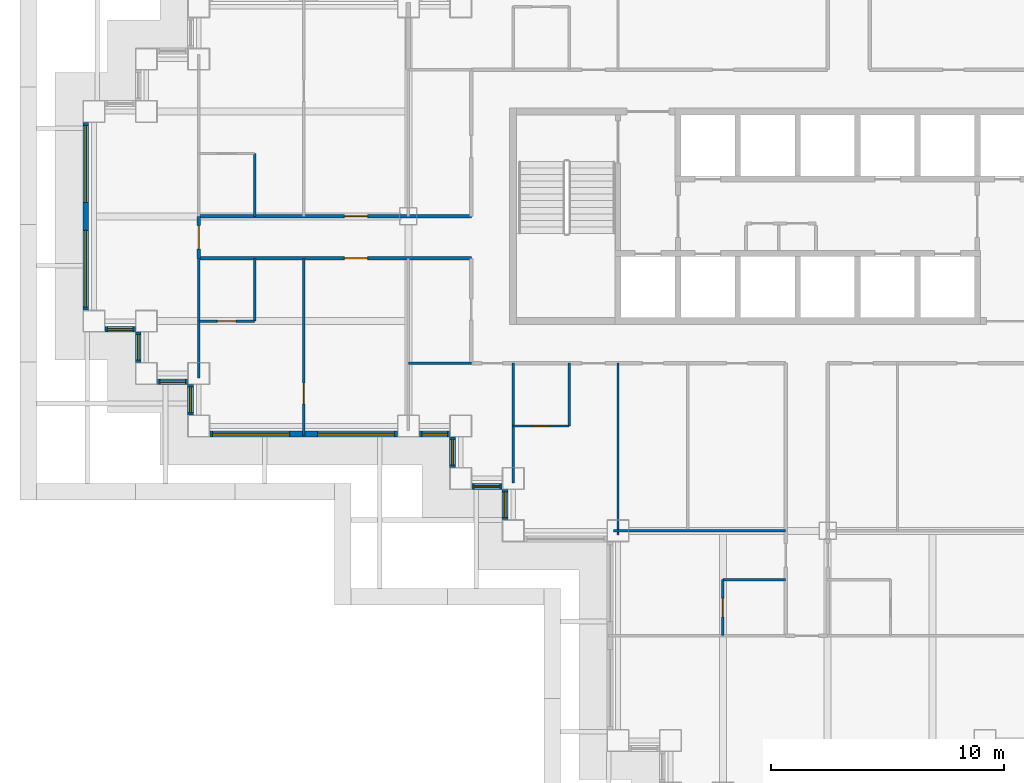
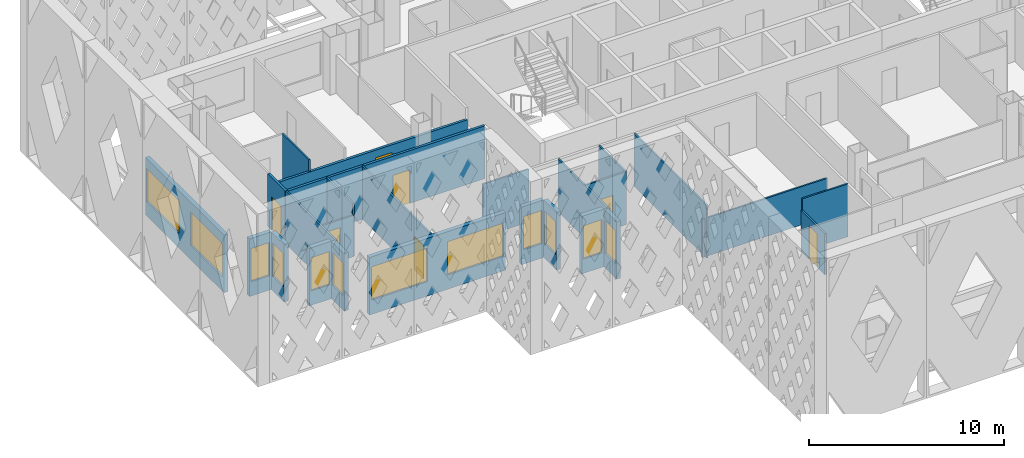
# One storey, part 3 of 19: 26 walls, 12 windows, 7 doors, 19 openings.
"""IFC4 building model written with IfcOpenShell, lengths in metres."""

from ifc_helpers import new_model, si_unit, direction, frame, frame_2d, origin, place, context, subcontext, project, spatial, rectangle, extrude, material, layer, layer_set, type_object, element, fill, save


model = new_model("IFC4")

# Units and contexts
model_context = context("Model", 3, precision=1e-05, world=origin(), true_north=direction((0.0, 1.0)))
body_context = subcontext(model_context, "Body", "Model", "MODEL_VIEW")
ifc_project = project(units=[si_unit("LENGTHUNIT", "METRE"), si_unit("AREAUNIT", "SQUARE_METRE"), si_unit("VOLUMEUNIT", "CUBIC_METRE"), si_unit("PLANEANGLEUNIT", "RADIAN"), si_unit("MASSUNIT", "GRAM", prefix="KILO")], contexts=[model_context])

# Site, building, storey
site_placement = place(None, origin())
site = spatial("IfcSite", under=ifc_project, at=site_placement, CompositionType="ELEMENT")
building_placement = place(site_placement, origin())
building = spatial("IfcBuilding", under=site, at=building_placement, Name="Caravel Reach Hotel and Residences", CompositionType="ELEMENT")
storey_placement = place(building_placement, frame((0.0, 0.0, 85.199951171875)))
storey = spatial("IfcBuildingStorey", under=building, at=storey_placement, Name="L20", CompositionType="ELEMENT", Elevation=85.199951171875)

# Wall
ifc_material_1 = material(Name="Gypsum board on steel stud", Category="steel")
ifc_layer_1 = layer(ifc_material_1, 0.10009765625)
ifc_layer_set_1 = layer_set([ifc_layer_1], Name="Bathroom pod wall 100 mm")
wall_type_1 = type_object("IfcWallType", Name="Bathroom pod wall 100 mm", PredefinedType="PARTITIONING", material=ifc_layer_set_1)
wall_1_placement = place(storey_placement, frame((27.0, 11.39990234375, 0.0), z_axis=(0.0, 0.0, 1.0), x_axis=(1.0, 0.0, 0.0)))
element("IfcWall", 1, at=wall_1_placement, inside=storey, type_object=wall_type_1, Name="L20 wall w072", PredefinedType="PARTITIONING", context=body_context, shape_type="SweptSolid", body=[
    extrude(rectangle(XDim=2.699951171875, YDim=0.10009765625, at=frame_2d((1.35009765625, 0.0))), origin(), (0.0, 0.0, 1.0), 3.300048828125),
])

# Wall, opening, door
wall_2_placement = place(storey_placement, frame((18.0, 18.0, 0.0), z_axis=(0.0, 0.0, 1.0), x_axis=(1.0, 0.0, 0.0)))
wall_2 = element("IfcWall", 2, at=wall_2_placement, inside=storey, type_object=wall_type_1, Name="L20 wall w073", PredefinedType="PARTITIONING", context=body_context, shape_type="SweptSolid", body=[
    extrude(rectangle(XDim=2.39990234375, YDim=0.10009765625, at=frame_2d((1.199951171875, 0.0))), origin(), (0.0, 0.0, 1.0), 3.300048828125),
])
opening_1_placement = place(wall_2_placement, frame((0.800048828125, 0.0, 0.0)))
opening_1 = element("IfcOpeningElement", 3, at=opening_1_placement, cuts=wall_2, Name="Opening D20-043", PredefinedType="OPENING", context=body_context, shape_type="SweptSolid", body=[
    extrude(rectangle(XDim=0.800048828125, YDim=2.10009765625, at=frame_2d((0.39990234375, 1.050048828125))), frame((0.0, 0.06005859375, 0.0), z_axis=(0.0, -1.0, 0.0), x_axis=(1.0, 0.0, 0.0)), (0.0, 0.0, 1.0), 0.1201171875),
])
ifc_material_2 = material(Name="Timber and steel door leaf", Category="steel")
door_type_1 = type_object("IfcDoorType", Name="Bathroom door 800 x 2100", OperationType="SINGLE_SWING_LEFT", PredefinedType="DOOR", material=ifc_material_2)
door_1_placement = place(opening_1_placement, origin())
door_1 = element("IfcDoor", 4, at=door_1_placement, inside=storey, type_object=door_type_1, Name="door D20-043", OperationType="SINGLE_SWING_LEFT", OverallHeight=2.10009765625, OverallWidth=0.800048828125, PredefinedType="DOOR", context=body_context, shape_type="SweptSolid", body=[
    extrude(rectangle(XDim=0.800048828125, YDim=2.10009765625, at=frame_2d((0.39990234375, 1.050048828125))), frame((0.0, 0.02490234375, 0.0), z_axis=(0.0, -1.0, 0.0), x_axis=(1.0, 0.0, 0.0)), (0.0, 0.0, 1.0), 0.050048828125),
])
fill(opening_1, door_1)

wall_3_placement = place(storey_placement, frame((4.5, 22.5, 0.0), z_axis=(0.0, 0.0, 1.0), x_axis=(1.0, 0.0, 0.0)))
wall_3 = element("IfcWall", 5, at=wall_3_placement, inside=storey, type_object=wall_type_1, Name="L20 wall w075", PredefinedType="PARTITIONING", context=body_context, shape_type="SweptSolid", body=[
    extrude(rectangle(XDim=2.39990234375, YDim=0.10009765625, at=frame_2d((1.199951171875, 0.0))), origin(), (0.0, 0.0, 1.0), 2.580078125),
])
opening_2_placement = place(wall_3_placement, frame((0.800048828125, 0.0, 0.0)))
opening_2 = element("IfcOpeningElement", 6, at=opening_2_placement, cuts=wall_3, Name="Opening D20-018", PredefinedType="OPENING", context=body_context, shape_type="SweptSolid", body=[
    extrude(rectangle(XDim=0.800048828125, YDim=2.10009765625, at=frame_2d((0.39990234375, 1.050048828125))), frame((0.0, 0.06005859375, 0.0), z_axis=(0.0, -1.0, 0.0), x_axis=(1.0, 0.0, 0.0)), (0.0, 0.0, 1.0), 0.1201171875),
])
door_2_placement = place(opening_2_placement, origin())
door_2 = element("IfcDoor", 7, at=door_2_placement, inside=storey, type_object=door_type_1, Name="door D20-018", OperationType="SINGLE_SWING_RIGHT", OverallHeight=2.10009765625, OverallWidth=0.800048828125, PredefinedType="DOOR", context=body_context, shape_type="SweptSolid", body=[
    extrude(rectangle(XDim=0.800048828125, YDim=2.10009765625, at=frame_2d((0.39990234375, 1.050048828125))), frame((0.0, 0.02490234375, 0.0), z_axis=(0.0, -1.0, 0.0), x_axis=(1.0, 0.0, 0.0)), (0.0, 0.0, 1.0), 0.050048828125),
])
fill(opening_2, door_2)

# Wall
wall_4_placement = place(storey_placement, frame((20.39990234375, 18.0, 0.0), z_axis=(0.0, 0.0, 1.0), x_axis=(0.0, 1.0, 0.0)))
element("IfcWall", 8, at=wall_4_placement, inside=storey, type_object=wall_type_1, Name="L20 wall w085", PredefinedType="PARTITIONING", context=body_context, shape_type="SweptSolid", body=[
    extrude(rectangle(XDim=2.699951171875, YDim=0.10009765625, at=frame_2d((1.35009765625, 0.0))), origin(), (0.0, 0.0, 1.0), 3.300048828125),
])

# Wall, opening, door
wall_5_placement = place(storey_placement, frame((27.0, 9.0, 0.0), z_axis=(0.0, 0.0, 1.0), x_axis=(0.0, 1.0, 0.0)))
wall_5 = element("IfcWall", 9, at=wall_5_placement, inside=storey, type_object=wall_type_1, Name="L20 wall w086", PredefinedType="PARTITIONING", context=body_context, shape_type="SweptSolid", body=[
    extrude(rectangle(XDim=2.39990234375, YDim=0.10009765625, at=frame_2d((1.199951171875, 0.0))), origin(), (0.0, 0.0, 1.0), 2.580078125),
])
opening_3_placement = place(wall_5_placement, frame((0.800048828125, 0.0, 0.0)))
opening_3 = element("IfcOpeningElement", 10, at=opening_3_placement, cuts=wall_5, Name="Opening D20-031", PredefinedType="OPENING", context=body_context, shape_type="SweptSolid", body=[
    extrude(rectangle(XDim=0.800048828125, YDim=2.10009765625, at=frame_2d((0.39990234375, 1.050048828125))), frame((0.0, 0.06005859375, 0.0), z_axis=(0.0, -1.0, 0.0), x_axis=(1.0, 0.0, 0.0)), (0.0, 0.0, 1.0), 0.1201171875),
])
door_3_placement = place(opening_3_placement, origin())
door_3 = element("IfcDoor", 11, at=door_3_placement, inside=storey, type_object=door_type_1, Name="door D20-031", OperationType="SINGLE_SWING_LEFT", OverallHeight=2.10009765625, OverallWidth=0.800048828125, PredefinedType="DOOR", context=body_context, shape_type="SweptSolid", body=[
    extrude(rectangle(XDim=0.800048828125, YDim=2.10009765625, at=frame_2d((0.39990234375, 1.050048828125))), frame((0.0, 0.02490234375, 0.0), z_axis=(0.0, -1.0, 0.0), x_axis=(1.0, 0.0, 0.0)), (0.0, 0.0, 1.0), 0.050048828125),
])
fill(opening_3, door_3)

# Walls
for number, where, z_axis, x_axis, name in (
    (12, (6.89990234375, 27.0, 0.0), (0.0, 0.0, 1.0), (0.0, 1.0, 0.0), "L20 wall w094"),
    (13, (6.89990234375, 22.5, 0.0), (0.0, 0.0, 1.0), (0.0, 1.0, 0.0), "L20 wall w095"),
):
    element("IfcWall", number, at=place(storey_placement, frame(where, z_axis=z_axis, x_axis=x_axis)), inside=storey, type_object=wall_type_1, Name=name, PredefinedType="PARTITIONING", context=body_context, shape_type="SweptSolid", body=[
        extrude(rectangle(XDim=2.699951171875, YDim=0.10009765625, at=frame_2d((1.35009765625, 0.0))), origin(), (0.0, 0.0, 1.0), 3.300048828125),
    ])

# Wall, opening, door
ifc_material_3 = material(Name="Gypsum board on steel stud, fire-rated", Category="steel")
ifc_layer_2 = layer(ifc_material_3, 0.14990234375)
ifc_layer_set_2 = layer_set([ifc_layer_2], Name="Corridor wall 150 mm EI 60")
wall_type_2 = type_object("IfcWallType", Name="Corridor wall 150 mm EI 60", PredefinedType="PARTITIONING", material=ifc_layer_set_2)
wall_6_placement = place(storey_placement, frame((4.5, 25.199951171875, 0.0), z_axis=(0.0, 0.0, 1.0), x_axis=(1.0, 0.0, 0.0)))
wall_6 = element("IfcWall", 14, at=wall_6_placement, inside=storey, type_object=wall_type_2, Name="L20 wall w009", PredefinedType="PARTITIONING", context=body_context, shape_type="SweptSolid", body=[
    extrude(rectangle(XDim=11.699951171875, YDim=0.14990234375, at=frame_2d((5.85009765625, 0.0))), origin(), (0.0, 0.0, 1.0), 3.300048828125),
])
opening_4_placement = place(wall_6_placement, frame((6.25, 0.0, 0.0)))
opening_4 = element("IfcOpeningElement", 15, at=opening_4_placement, cuts=wall_6, Name="Opening D20-016", PredefinedType="OPENING", context=body_context, shape_type="SweptSolid", body=[
    extrude(rectangle(XDim=1.0, YDim=2.10009765625, at=frame_2d((0.5, 1.050048828125))), frame((0.0, 0.0849609375, 0.0), z_axis=(0.0, -1.0, 0.0), x_axis=(1.0, 0.0, 0.0)), (0.0, 0.0, 1.0), 0.169921875),
])
ifc_material_4 = material(Name="Steel fire door leaf", Category="steel")
door_type_2 = type_object("IfcDoorType", Name="Guest room door 1000 x 2100 EI 30", OperationType="SINGLE_SWING_LEFT", PredefinedType="DOOR", material=ifc_material_4)
door_4_placement = place(opening_4_placement, origin())
door_4 = element("IfcDoor", 16, at=door_4_placement, inside=storey, type_object=door_type_2, Name="door D20-016", OperationType="SINGLE_SWING_RIGHT", OverallHeight=2.10009765625, OverallWidth=1.0, PredefinedType="DOOR", context=body_context, shape_type="SweptSolid", body=[
    extrude(rectangle(XDim=1.0, YDim=2.10009765625, at=frame_2d((0.5, 1.050048828125))), frame((0.0, 0.02490234375, 0.0), z_axis=(0.0, -1.0, 0.0), x_axis=(1.0, 0.0, 0.0)), (0.0, 0.0, 1.0), 0.050048828125),
])
fill(opening_4, door_4)

wall_7_placement = place(storey_placement, frame((4.5, 27.0, 0.0), z_axis=(0.0, 0.0, 1.0), x_axis=(1.0, 0.0, 0.0)))
wall_7 = element("IfcWall", 17, at=wall_7_placement, inside=storey, type_object=wall_type_2, Name="L20 wall w014", PredefinedType="PARTITIONING", context=body_context, shape_type="SweptSolid", body=[
    extrude(rectangle(XDim=11.699951171875, YDim=0.14990234375, at=frame_2d((5.85009765625, 0.0))), origin(), (0.0, 0.0, 1.0), 2.580078125),
])
opening_5_placement = place(wall_7_placement, frame((6.25, 0.0, 0.0)))
opening_5 = element("IfcOpeningElement", 18, at=opening_5_placement, cuts=wall_7, Name="Opening D20-019", PredefinedType="OPENING", context=body_context, shape_type="SweptSolid", body=[
    extrude(rectangle(XDim=1.0, YDim=2.10009765625, at=frame_2d((0.5, 1.050048828125))), frame((0.0, 0.0849609375, 0.0), z_axis=(0.0, -1.0, 0.0), x_axis=(1.0, 0.0, 0.0)), (0.0, 0.0, 1.0), 0.169921875),
])
door_5_placement = place(opening_5_placement, origin())
door_5 = element("IfcDoor", 19, at=door_5_placement, inside=storey, type_object=door_type_2, Name="door D20-019", OperationType="SINGLE_SWING_LEFT", OverallHeight=2.10009765625, OverallWidth=1.0, PredefinedType="DOOR", context=body_context, shape_type="SweptSolid", body=[
    extrude(rectangle(XDim=1.0, YDim=2.10009765625, at=frame_2d((0.5, 1.050048828125))), frame((0.0, 0.02490234375, 0.0), z_axis=(0.0, -1.0, 0.0), x_axis=(1.0, 0.0, 0.0)), (0.0, 0.0, 1.0), 0.050048828125),
])
fill(opening_5, door_5)

wall_8_placement = place(storey_placement, frame((4.5, 25.199951171875, 0.0), z_axis=(0.0, 0.0, 1.0), x_axis=(0.0, 1.0, 0.0)))
wall_8 = element("IfcWall", 20, at=wall_8_placement, inside=storey, type_object=wall_type_2, Name="L20 wall w034", PredefinedType="PARTITIONING", context=body_context, shape_type="SweptSolid", body=[
    extrude(rectangle(XDim=1.800048828125, YDim=0.14990234375, at=frame_2d((0.89990234375, 0.0))), origin(), (0.0, 0.0, 1.0), 3.300048828125),
])
opening_6_placement = place(wall_8_placement, frame((0.39990234375, 0.0, 0.0)))
opening_6 = element("IfcOpeningElement", 21, at=opening_6_placement, cuts=wall_8, Name="Opening D20-034", PredefinedType="OPENING", context=body_context, shape_type="SweptSolid", body=[
    extrude(rectangle(XDim=1.0, YDim=2.10009765625, at=frame_2d((0.5, 1.050048828125))), frame((0.0, 0.0849609375, 0.0), z_axis=(0.0, -1.0, 0.0), x_axis=(1.0, 0.0, 0.0)), (0.0, 0.0, 1.0), 0.169921875),
])
door_6_placement = place(opening_6_placement, origin())
door_6 = element("IfcDoor", 22, at=door_6_placement, inside=storey, type_object=door_type_2, Name="door D20-034", OperationType="SINGLE_SWING_RIGHT", OverallHeight=2.10009765625, OverallWidth=1.0, PredefinedType="DOOR", context=body_context, shape_type="SweptSolid", body=[
    extrude(rectangle(XDim=1.0, YDim=2.10009765625, at=frame_2d((0.5, 1.050048828125))), frame((0.0, 0.02490234375, 0.0), z_axis=(0.0, -1.0, 0.0), x_axis=(1.0, 0.0, 0.0)), (0.0, 0.0, 1.0), 0.050048828125),
])
fill(opening_6, door_6)

# Wall, openings, windows
ifc_material_5 = material(Name="Insulated rainscreen wall, aluminium cladding", Category="aluminium")
ifc_layer_3 = layer(ifc_material_5, 0.25)
ifc_layer_set_3 = layer_set([ifc_layer_3], Name="EW1 Tower rainscreen wall")
wall_type_3 = type_object("IfcWallType", Name="EW1 Tower rainscreen wall", PredefinedType="SOLIDWALL", material=ifc_layer_set_3)
wall_9_placement = place(storey_placement, frame((-0.35009765625, 31.02490234375, 0.0), z_axis=(0.0, 0.0, 1.0), x_axis=(0.0, -1.0, 0.0)))
wall_9 = element("IfcWall", 23, at=wall_9_placement, inside=storey, type_object=wall_type_3, Name="External wall L20 W50.1", PredefinedType="SOLIDWALL", context=body_context, shape_type="SweptSolid", body=[
    extrude(rectangle(XDim=8.0498046875, YDim=0.25, at=frame_2d((4.02490234375, 0.0))), origin(), (0.0, 0.0, 1.0), 3.60009765625),
])
opening_7_placement = place(wall_9_placement, frame((0.125, 0.0, 0.89990234375)))
opening_7 = element("IfcOpeningElement", 24, at=opening_7_placement, cuts=wall_9, Name="Opening WN4", PredefinedType="OPENING", context=body_context, shape_type="SweptSolid", body=[
    extrude(rectangle(XDim=3.300048828125, YDim=2.080078125, at=frame_2d((1.64990234375, 1.0400390625))), frame((0.0, 0.135009765625, 0.0), z_axis=(0.0, -1.0, 0.0), x_axis=(1.0, 0.0, 0.0)), (0.0, 0.0, 1.0), 0.27001953125),
])
opening_8_placement = place(wall_9_placement, frame((4.625, 0.0, 0.89990234375)))
opening_8 = element("IfcOpeningElement", 25, at=opening_8_placement, cuts=wall_9, Name="Opening WN4", PredefinedType="OPENING", context=body_context, shape_type="SweptSolid", body=[
    extrude(rectangle(XDim=3.300048828125, YDim=2.080078125, at=frame_2d((1.64990234375, 1.0400390625))), frame((0.0, 0.135009765625, 0.0), z_axis=(0.0, -1.0, 0.0), x_axis=(1.0, 0.0, 0.0)), (0.0, 0.0, 1.0), 0.27001953125),
])
ifc_material_6 = material(Name="Dark low-e glazing in black aluminium frame", Category="aluminium")
window_type_1 = type_object("IfcWindowType", Name="Hotel guest room window 3300 x 2080", PartitioningType="SINGLE_PANEL", PredefinedType="WINDOW", material=ifc_material_6)
window_1_placement = place(opening_7_placement, origin())
window_1 = element("IfcWindow", 26, at=window_1_placement, inside=storey, type_object=window_type_1, Name="Window L20 W50.1.1", OverallHeight=2.080078125, OverallWidth=3.300048828125, PartitioningType="SINGLE_PANEL", PredefinedType="WINDOW", context=body_context, shape_type="SweptSolid", body=[
    extrude(rectangle(XDim=3.300048828125, YDim=2.080078125, at=frame_2d((1.64990234375, 1.0400390625))), frame((0.0, 0.030029296875, 0.0), z_axis=(0.0, -1.0, 0.0), x_axis=(1.0, 0.0, 0.0)), (0.0, 0.0, 1.0), 0.06005859375),
])
fill(opening_7, window_1)
window_2_placement = place(opening_8_placement, origin())
window_2 = element("IfcWindow", 27, at=window_2_placement, inside=storey, type_object=window_type_1, Name="Window L20 W50.1.2", OverallHeight=2.080078125, OverallWidth=3.300048828125, PartitioningType="SINGLE_PANEL", PredefinedType="WINDOW", context=body_context, shape_type="SweptSolid", body=[
    extrude(rectangle(XDim=3.300048828125, YDim=2.080078125, at=frame_2d((1.64990234375, 1.0400390625))), frame((0.0, 0.030029296875, 0.0), z_axis=(0.0, -1.0, 0.0), x_axis=(1.0, 0.0, 0.0)), (0.0, 0.0, 1.0), 0.06005859375),
])
fill(opening_8, window_2)

# Wall, opening, window
wall_10_placement = place(storey_placement, frame((0.47509765625, 22.14990234375, 0.0), z_axis=(0.0, 0.0, 1.0), x_axis=(1.0, 0.0, 0.0)))
wall_10 = element("IfcWall", 28, at=wall_10_placement, inside=storey, type_object=wall_type_3, Name="External wall L20 S51.1", PredefinedType="SOLIDWALL", context=body_context, shape_type="SweptSolid", body=[
    extrude(rectangle(XDim=1.2998046875, YDim=0.25, at=frame_2d((0.64990234375, 0.0))), origin(), (0.0, 0.0, 1.0), 3.60009765625),
])
opening_9_placement = place(wall_10_placement, frame((0.10009765625, 0.0, 0.89990234375)))
opening_9 = element("IfcOpeningElement", 29, at=opening_9_placement, cuts=wall_10, Name="Opening WN5", PredefinedType="OPENING", context=body_context, shape_type="SweptSolid", body=[
    extrude(rectangle(XDim=1.10009765625, YDim=2.080078125, at=frame_2d((0.550048828125, 1.0400390625))), frame((0.0, 0.135009765625, 0.0), z_axis=(0.0, -1.0, 0.0), x_axis=(1.0, 0.0, 0.0)), (0.0, 0.0, 1.0), 0.27001953125),
])
ifc_material_7 = material(Name="Dark low-e glazing in black aluminium frame", Category="aluminium")
window_type_2 = type_object("IfcWindowType", Name="Hotel suite corner window 1100 x 2080", PartitioningType="SINGLE_PANEL", PredefinedType="WINDOW", material=ifc_material_7)
window_3_placement = place(opening_9_placement, origin())
window_3 = element("IfcWindow", 30, at=window_3_placement, inside=storey, type_object=window_type_2, Name="Window L20 S51.1.1", OverallHeight=2.080078125, OverallWidth=1.10009765625, PartitioningType="SINGLE_PANEL", PredefinedType="WINDOW", context=body_context, shape_type="SweptSolid", body=[
    extrude(rectangle(XDim=1.10009765625, YDim=2.080078125, at=frame_2d((0.550048828125, 1.0400390625))), frame((0.0, 0.030029296875, 0.0), z_axis=(0.0, -1.0, 0.0), x_axis=(1.0, 0.0, 0.0)), (0.0, 0.0, 1.0), 0.06005859375),
])
fill(opening_9, window_3)

wall_11_placement = place(storey_placement, frame((1.89990234375, 22.02490234375, 0.0), z_axis=(0.0, 0.0, 1.0), x_axis=(0.0, -1.0, 0.0)))
wall_11 = element("IfcWall", 31, at=wall_11_placement, inside=storey, type_object=wall_type_3, Name="External wall L20 W52.1", PredefinedType="SOLIDWALL", context=body_context, shape_type="SweptSolid", body=[
    extrude(rectangle(XDim=1.2998046875, YDim=0.25, at=frame_2d((0.64990234375, 0.0))), origin(), (0.0, 0.0, 1.0), 3.60009765625),
])
opening_10_placement = place(wall_11_placement, frame((0.10009765625, 0.0, 0.89990234375)))
opening_10 = element("IfcOpeningElement", 32, at=opening_10_placement, cuts=wall_11, Name="Opening WN5", PredefinedType="OPENING", context=body_context, shape_type="SweptSolid", body=[
    extrude(rectangle(XDim=1.10009765625, YDim=2.080078125, at=frame_2d((0.550048828125, 1.0400390625))), frame((0.0, 0.135009765625, 0.0), z_axis=(0.0, -1.0, 0.0), x_axis=(1.0, 0.0, 0.0)), (0.0, 0.0, 1.0), 0.27001953125),
])
window_4_placement = place(opening_10_placement, origin())
window_4 = element("IfcWindow", 33, at=window_4_placement, inside=storey, type_object=window_type_2, Name="Window L20 W52.1.1", OverallHeight=2.080078125, OverallWidth=1.10009765625, PartitioningType="SINGLE_PANEL", PredefinedType="WINDOW", context=body_context, shape_type="SweptSolid", body=[
    extrude(rectangle(XDim=1.10009765625, YDim=2.080078125, at=frame_2d((0.550048828125, 1.0400390625))), frame((0.0, 0.030029296875, 0.0), z_axis=(0.0, -1.0, 0.0), x_axis=(1.0, 0.0, 0.0)), (0.0, 0.0, 1.0), 0.06005859375),
])
fill(opening_10, window_4)

wall_12_placement = place(storey_placement, frame((2.72509765625, 19.89990234375, 0.0), z_axis=(0.0, 0.0, 1.0), x_axis=(1.0, 0.0, 0.0)))
wall_12 = element("IfcWall", 34, at=wall_12_placement, inside=storey, type_object=wall_type_3, Name="External wall L20 S53.1", PredefinedType="SOLIDWALL", context=body_context, shape_type="SweptSolid", body=[
    extrude(rectangle(XDim=1.2998046875, YDim=0.25, at=frame_2d((0.64990234375, 0.0))), origin(), (0.0, 0.0, 1.0), 3.60009765625),
])
opening_11_placement = place(wall_12_placement, frame((0.10009765625, 0.0, 0.89990234375)))
opening_11 = element("IfcOpeningElement", 35, at=opening_11_placement, cuts=wall_12, Name="Opening WN5", PredefinedType="OPENING", context=body_context, shape_type="SweptSolid", body=[
    extrude(rectangle(XDim=1.10009765625, YDim=2.080078125, at=frame_2d((0.550048828125, 1.0400390625))), frame((0.0, 0.135009765625, 0.0), z_axis=(0.0, -1.0, 0.0), x_axis=(1.0, 0.0, 0.0)), (0.0, 0.0, 1.0), 0.27001953125),
])
window_5_placement = place(opening_11_placement, origin())
window_5 = element("IfcWindow", 36, at=window_5_placement, inside=storey, type_object=window_type_2, Name="Window L20 S53.1.1", OverallHeight=2.080078125, OverallWidth=1.10009765625, PartitioningType="SINGLE_PANEL", PredefinedType="WINDOW", context=body_context, shape_type="SweptSolid", body=[
    extrude(rectangle(XDim=1.10009765625, YDim=2.080078125, at=frame_2d((0.550048828125, 1.0400390625))), frame((0.0, 0.030029296875, 0.0), z_axis=(0.0, -1.0, 0.0), x_axis=(1.0, 0.0, 0.0)), (0.0, 0.0, 1.0), 0.06005859375),
])
fill(opening_11, window_5)

wall_13_placement = place(storey_placement, frame((4.14990234375, 19.77490234375, 0.0), z_axis=(0.0, 0.0, 1.0), x_axis=(0.0, -1.0, 0.0)))
wall_13 = element("IfcWall", 37, at=wall_13_placement, inside=storey, type_object=wall_type_3, Name="External wall L20 W54.1", PredefinedType="SOLIDWALL", context=body_context, shape_type="SweptSolid", body=[
    extrude(rectangle(XDim=1.2998046875, YDim=0.25, at=frame_2d((0.64990234375, 0.0))), origin(), (0.0, 0.0, 1.0), 3.60009765625),
])
opening_12_placement = place(wall_13_placement, frame((0.10009765625, 0.0, 0.89990234375)))
opening_12 = element("IfcOpeningElement", 38, at=opening_12_placement, cuts=wall_13, Name="Opening WN5", PredefinedType="OPENING", context=body_context, shape_type="SweptSolid", body=[
    extrude(rectangle(XDim=1.10009765625, YDim=2.080078125, at=frame_2d((0.550048828125, 1.0400390625))), frame((0.0, 0.135009765625, 0.0), z_axis=(0.0, -1.0, 0.0), x_axis=(1.0, 0.0, 0.0)), (0.0, 0.0, 1.0), 0.27001953125),
])
window_6_placement = place(opening_12_placement, origin())
window_6 = element("IfcWindow", 39, at=window_6_placement, inside=storey, type_object=window_type_2, Name="Window L20 W54.1.1", OverallHeight=2.080078125, OverallWidth=1.10009765625, PartitioningType="SINGLE_PANEL", PredefinedType="WINDOW", context=body_context, shape_type="SweptSolid", body=[
    extrude(rectangle(XDim=1.10009765625, YDim=2.080078125, at=frame_2d((0.550048828125, 1.0400390625))), frame((0.0, 0.030029296875, 0.0), z_axis=(0.0, -1.0, 0.0), x_axis=(1.0, 0.0, 0.0)), (0.0, 0.0, 1.0), 0.06005859375),
])
fill(opening_12, window_6)

# Wall, openings, windows
wall_14_placement = place(storey_placement, frame((4.97509765625, 17.64990234375, 0.0), z_axis=(0.0, 0.0, 1.0), x_axis=(1.0, 0.0, 0.0)))
wall_14 = element("IfcWall", 40, at=wall_14_placement, inside=storey, type_object=wall_type_3, Name="External wall L20 S55.1", PredefinedType="SOLIDWALL", context=body_context, shape_type="SweptSolid", body=[
    extrude(rectangle(XDim=8.0498046875, YDim=0.25, at=frame_2d((4.02490234375, 0.0))), origin(), (0.0, 0.0, 1.0), 3.60009765625),
])
opening_13_placement = place(wall_14_placement, frame((0.125, 0.0, 0.89990234375)))
opening_13 = element("IfcOpeningElement", 41, at=opening_13_placement, cuts=wall_14, Name="Opening WN4", PredefinedType="OPENING", context=body_context, shape_type="SweptSolid", body=[
    extrude(rectangle(XDim=3.300048828125, YDim=2.080078125, at=frame_2d((1.64990234375, 1.0400390625))), frame((0.0, 0.135009765625, 0.0), z_axis=(0.0, -1.0, 0.0), x_axis=(1.0, 0.0, 0.0)), (0.0, 0.0, 1.0), 0.27001953125),
])
opening_14_placement = place(wall_14_placement, frame((4.625, 0.0, 0.89990234375)))
opening_14 = element("IfcOpeningElement", 42, at=opening_14_placement, cuts=wall_14, Name="Opening WN4", PredefinedType="OPENING", context=body_context, shape_type="SweptSolid", body=[
    extrude(rectangle(XDim=3.300048828125, YDim=2.080078125, at=frame_2d((1.64990234375, 1.0400390625))), frame((0.0, 0.135009765625, 0.0), z_axis=(0.0, -1.0, 0.0), x_axis=(1.0, 0.0, 0.0)), (0.0, 0.0, 1.0), 0.27001953125),
])
window_7_placement = place(opening_13_placement, origin())
window_7 = element("IfcWindow", 43, at=window_7_placement, inside=storey, type_object=window_type_1, Name="Window L20 S55.1.1", OverallHeight=2.080078125, OverallWidth=3.300048828125, PartitioningType="SINGLE_PANEL", PredefinedType="WINDOW", context=body_context, shape_type="SweptSolid", body=[
    extrude(rectangle(XDim=3.300048828125, YDim=2.080078125, at=frame_2d((1.64990234375, 1.0400390625))), frame((0.0, 0.030029296875, 0.0), z_axis=(0.0, -1.0, 0.0), x_axis=(1.0, 0.0, 0.0)), (0.0, 0.0, 1.0), 0.06005859375),
])
fill(opening_13, window_7)
window_8_placement = place(opening_14_placement, origin())
window_8 = element("IfcWindow", 44, at=window_8_placement, inside=storey, type_object=window_type_1, Name="Window L20 S55.1.2", OverallHeight=2.080078125, OverallWidth=3.300048828125, PartitioningType="SINGLE_PANEL", PredefinedType="WINDOW", context=body_context, shape_type="SweptSolid", body=[
    extrude(rectangle(XDim=3.300048828125, YDim=2.080078125, at=frame_2d((1.64990234375, 1.0400390625))), frame((0.0, 0.030029296875, 0.0), z_axis=(0.0, -1.0, 0.0), x_axis=(1.0, 0.0, 0.0)), (0.0, 0.0, 1.0), 0.06005859375),
])
fill(opening_14, window_8)

# Wall, opening, window
wall_15_placement = place(storey_placement, frame((13.97509765625, 17.64990234375, 0.0), z_axis=(0.0, 0.0, 1.0), x_axis=(1.0, 0.0, 0.0)))
wall_15 = element("IfcWall", 45, at=wall_15_placement, inside=storey, type_object=wall_type_3, Name="External wall L20 S55.2", PredefinedType="SOLIDWALL", context=body_context, shape_type="SweptSolid", body=[
    extrude(rectangle(XDim=1.2998046875, YDim=0.25, at=frame_2d((0.64990234375, 0.0))), origin(), (0.0, 0.0, 1.0), 3.60009765625),
])
opening_15_placement = place(wall_15_placement, frame((0.10009765625, 0.0, 0.89990234375)))
opening_15 = element("IfcOpeningElement", 46, at=opening_15_placement, cuts=wall_15, Name="Opening WN5", PredefinedType="OPENING", context=body_context, shape_type="SweptSolid", body=[
    extrude(rectangle(XDim=1.10009765625, YDim=2.080078125, at=frame_2d((0.550048828125, 1.0400390625))), frame((0.0, 0.135009765625, 0.0), z_axis=(0.0, -1.0, 0.0), x_axis=(1.0, 0.0, 0.0)), (0.0, 0.0, 1.0), 0.27001953125),
])
window_9_placement = place(opening_15_placement, origin())
window_9 = element("IfcWindow", 47, at=window_9_placement, inside=storey, type_object=window_type_2, Name="Window L20 S55.2.1", OverallHeight=2.080078125, OverallWidth=1.10009765625, PartitioningType="SINGLE_PANEL", PredefinedType="WINDOW", context=body_context, shape_type="SweptSolid", body=[
    extrude(rectangle(XDim=1.10009765625, YDim=2.080078125, at=frame_2d((0.550048828125, 1.0400390625))), frame((0.0, 0.030029296875, 0.0), z_axis=(0.0, -1.0, 0.0), x_axis=(1.0, 0.0, 0.0)), (0.0, 0.0, 1.0), 0.06005859375),
])
fill(opening_15, window_9)

wall_16_placement = place(storey_placement, frame((15.39990234375, 17.52490234375, 0.0), z_axis=(0.0, 0.0, 1.0), x_axis=(0.0, -1.0, 0.0)))
wall_16 = element("IfcWall", 48, at=wall_16_placement, inside=storey, type_object=wall_type_3, Name="External wall L20 W56.1", PredefinedType="SOLIDWALL", context=body_context, shape_type="SweptSolid", body=[
    extrude(rectangle(XDim=1.2998046875, YDim=0.25, at=frame_2d((0.64990234375, 0.0))), origin(), (0.0, 0.0, 1.0), 3.60009765625),
])
opening_16_placement = place(wall_16_placement, frame((0.10009765625, 0.0, 0.89990234375)))
opening_16 = element("IfcOpeningElement", 49, at=opening_16_placement, cuts=wall_16, Name="Opening WN5", PredefinedType="OPENING", context=body_context, shape_type="SweptSolid", body=[
    extrude(rectangle(XDim=1.10009765625, YDim=2.080078125, at=frame_2d((0.550048828125, 1.0400390625))), frame((0.0, 0.135009765625, 0.0), z_axis=(0.0, -1.0, 0.0), x_axis=(1.0, 0.0, 0.0)), (0.0, 0.0, 1.0), 0.27001953125),
])
window_10_placement = place(opening_16_placement, origin())
window_10 = element("IfcWindow", 50, at=window_10_placement, inside=storey, type_object=window_type_2, Name="Window L20 W56.1.1", OverallHeight=2.080078125, OverallWidth=1.10009765625, PartitioningType="SINGLE_PANEL", PredefinedType="WINDOW", context=body_context, shape_type="SweptSolid", body=[
    extrude(rectangle(XDim=1.10009765625, YDim=2.080078125, at=frame_2d((0.550048828125, 1.0400390625))), frame((0.0, 0.030029296875, 0.0), z_axis=(0.0, -1.0, 0.0), x_axis=(1.0, 0.0, 0.0)), (0.0, 0.0, 1.0), 0.06005859375),
])
fill(opening_16, window_10)

wall_17_placement = place(storey_placement, frame((16.22509765625, 15.39990234375, 0.0), z_axis=(0.0, 0.0, 1.0), x_axis=(1.0, 0.0, 0.0)))
wall_17 = element("IfcWall", 51, at=wall_17_placement, inside=storey, type_object=wall_type_3, Name="External wall L20 S57.1", PredefinedType="SOLIDWALL", context=body_context, shape_type="SweptSolid", body=[
    extrude(rectangle(XDim=1.2998046875, YDim=0.25, at=frame_2d((0.64990234375, 0.0))), origin(), (0.0, 0.0, 1.0), 3.60009765625),
])
opening_17_placement = place(wall_17_placement, frame((0.10009765625, 0.0, 0.89990234375)))
opening_17 = element("IfcOpeningElement", 52, at=opening_17_placement, cuts=wall_17, Name="Opening WN5", PredefinedType="OPENING", context=body_context, shape_type="SweptSolid", body=[
    extrude(rectangle(XDim=1.10009765625, YDim=2.080078125, at=frame_2d((0.550048828125, 1.0400390625))), frame((0.0, 0.135009765625, 0.0), z_axis=(0.0, -1.0, 0.0), x_axis=(1.0, 0.0, 0.0)), (0.0, 0.0, 1.0), 0.27001953125),
])
window_11_placement = place(opening_17_placement, origin())
window_11 = element("IfcWindow", 53, at=window_11_placement, inside=storey, type_object=window_type_2, Name="Window L20 S57.1.1", OverallHeight=2.080078125, OverallWidth=1.10009765625, PartitioningType="SINGLE_PANEL", PredefinedType="WINDOW", context=body_context, shape_type="SweptSolid", body=[
    extrude(rectangle(XDim=1.10009765625, YDim=2.080078125, at=frame_2d((0.550048828125, 1.0400390625))), frame((0.0, 0.030029296875, 0.0), z_axis=(0.0, -1.0, 0.0), x_axis=(1.0, 0.0, 0.0)), (0.0, 0.0, 1.0), 0.06005859375),
])
fill(opening_17, window_11)

wall_18_placement = place(storey_placement, frame((17.64990234375, 15.27490234375, 0.0), z_axis=(0.0, 0.0, 1.0), x_axis=(0.0, -1.0, 0.0)))
wall_18 = element("IfcWall", 54, at=wall_18_placement, inside=storey, type_object=wall_type_3, Name="External wall L20 W58.1", PredefinedType="SOLIDWALL", context=body_context, shape_type="SweptSolid", body=[
    extrude(rectangle(XDim=1.2998046875, YDim=0.25, at=frame_2d((0.64990234375, 0.0))), origin(), (0.0, 0.0, 1.0), 3.60009765625),
])
opening_18_placement = place(wall_18_placement, frame((0.10009765625, 0.0, 0.89990234375)))
opening_18 = element("IfcOpeningElement", 55, at=opening_18_placement, cuts=wall_18, Name="Opening WN5", PredefinedType="OPENING", context=body_context, shape_type="SweptSolid", body=[
    extrude(rectangle(XDim=1.10009765625, YDim=2.080078125, at=frame_2d((0.550048828125, 1.0400390625))), frame((0.0, 0.135009765625, 0.0), z_axis=(0.0, -1.0, 0.0), x_axis=(1.0, 0.0, 0.0)), (0.0, 0.0, 1.0), 0.27001953125),
])
window_12_placement = place(opening_18_placement, origin())
window_12 = element("IfcWindow", 56, at=window_12_placement, inside=storey, type_object=window_type_2, Name="Window L20 W58.1.1", OverallHeight=2.080078125, OverallWidth=1.10009765625, PartitioningType="SINGLE_PANEL", PredefinedType="WINDOW", context=body_context, shape_type="SweptSolid", body=[
    extrude(rectangle(XDim=1.10009765625, YDim=2.080078125, at=frame_2d((0.550048828125, 1.0400390625))), frame((0.0, 0.030029296875, 0.0), z_axis=(0.0, -1.0, 0.0), x_axis=(1.0, 0.0, 0.0)), (0.0, 0.0, 1.0), 0.06005859375),
])
fill(opening_18, window_12)

# Walls
ifc_material_8 = material(Name="Gypsum board on steel stud", Category="steel")
ifc_layer_4 = layer(ifc_material_8, 0.10009765625)
ifc_layer_set_4 = layer_set([ifc_layer_4], Name="Partition 100 mm")
wall_type_4 = type_object("IfcWallType", Name="Partition 100 mm", PredefinedType="PARTITIONING", material=ifc_layer_set_4)
wall_19_placement = place(storey_placement, frame((22.31005859375, 13.5, 0.0), z_axis=(0.0, 0.0, 1.0), x_axis=(1.0, 0.0, 0.0)))
element("IfcWall", 57, at=wall_19_placement, inside=storey, type_object=wall_type_4, Name="L20 wall w040", PredefinedType="PARTITIONING", context=body_context, shape_type="SweptSolid", body=[
    extrude(rectangle(XDim=7.389892578125, YDim=0.10009765625, at=frame_2d((3.69482421875, 0.0))), origin(), (0.0, 0.0, 1.0), 2.380126953125),
])
wall_20_placement = place(storey_placement, frame((13.5, 20.699951171875, 0.0), z_axis=(0.0, 0.0, 1.0), x_axis=(1.0, 0.0, 0.0)))
element("IfcWall", 58, at=wall_20_placement, inside=storey, type_object=wall_type_4, Name="L20 wall w042", PredefinedType="PARTITIONING", context=body_context, shape_type="SweptSolid", body=[
    extrude(rectangle(XDim=2.699951171875, YDim=0.10009765625, at=frame_2d((1.35009765625, 0.0))), origin(), (0.0, 0.0, 1.0), 3.300048828125),
])
wall_21_placement = place(storey_placement, frame((18.0, 15.56005859375, 0.0), z_axis=(0.0, 0.0, 1.0), x_axis=(0.0, 1.0, 0.0)))
element("IfcWall", 59, at=wall_21_placement, inside=storey, type_object=wall_type_4, Name="L20 wall w054", PredefinedType="PARTITIONING", context=body_context, shape_type="SweptSolid", body=[
    extrude(rectangle(XDim=5.139892578125, YDim=0.10009765625, at=frame_2d((2.56982421875, 0.0))), origin(), (0.0, 0.0, 1.0), 3.300048828125),
])
wall_22_placement = place(storey_placement, frame((22.5, 13.31005859375, 0.0), z_axis=(0.0, 0.0, 1.0), x_axis=(0.0, 1.0, 0.0)))
element("IfcWall", 60, at=wall_22_placement, inside=storey, type_object=wall_type_4, Name="L20 wall w056", PredefinedType="PARTITIONING", context=body_context, shape_type="SweptSolid", body=[
    extrude(rectangle(XDim=7.389892578125, YDim=0.10009765625, at=frame_2d((3.69482421875, 0.0))), origin(), (0.0, 0.0, 1.0), 3.300048828125),
])
wall_23_placement = place(storey_placement, frame((4.5, 20.06005859375, 0.0), z_axis=(0.0, 0.0, 1.0), x_axis=(0.0, 1.0, 0.0)))
element("IfcWall", 61, at=wall_23_placement, inside=storey, type_object=wall_type_4, Name="L20 wall w060", PredefinedType="PARTITIONING", context=body_context, shape_type="SweptSolid", body=[
    extrude(rectangle(XDim=5.139892578125, YDim=0.10009765625, at=frame_2d((2.56982421875, 0.0))), origin(), (0.0, 0.0, 1.0), 3.300048828125),
])

# Wall, opening, door
wall_24_placement = place(storey_placement, frame((9.0, 17.5849609375, 0.0), z_axis=(0.0, 0.0, 1.0), x_axis=(0.0, 1.0, 0.0)))
wall_24 = element("IfcWall", 62, at=wall_24_placement, inside=storey, type_object=wall_type_4, Name="L20 wall w068", PredefinedType="PARTITIONING", context=body_context, shape_type="SweptSolid", body=[
    extrude(rectangle(XDim=7.614990234375, YDim=0.10009765625, at=frame_2d((3.8076171875, 0.0))), origin(), (0.0, 0.0, 1.0), 3.300048828125),
])
opening_19_placement = place(wall_24_placement, frame((1.35009765625, 0.0, 0.0)))
opening_19 = element("IfcOpeningElement", 63, at=opening_19_placement, cuts=wall_24, Name="Opening D20-017", PredefinedType="OPENING", context=body_context, shape_type="SweptSolid", body=[
    extrude(rectangle(XDim=0.89990234375, YDim=2.10009765625, at=frame_2d((0.449951171875, 1.050048828125))), frame((0.0, 0.06005859375, 0.0), z_axis=(0.0, -1.0, 0.0), x_axis=(1.0, 0.0, 0.0)), (0.0, 0.0, 1.0), 0.1201171875),
])
ifc_material_9 = material(Name="Timber and steel door leaf", Category="steel")
door_type_3 = type_object("IfcDoorType", Name="Door 900 x 2100 timber", OperationType="SINGLE_SWING_LEFT", PredefinedType="DOOR", material=ifc_material_9)
door_7_placement = place(opening_19_placement, origin())
door_7 = element("IfcDoor", 64, at=door_7_placement, inside=storey, type_object=door_type_3, Name="door D20-017", OperationType="SINGLE_SWING_LEFT", OverallHeight=2.10009765625, OverallWidth=0.89990234375, PredefinedType="DOOR", context=body_context, shape_type="SweptSolid", body=[
    extrude(rectangle(XDim=0.89990234375, YDim=2.10009765625, at=frame_2d((0.449951171875, 1.050048828125))), frame((0.0, 0.02490234375, 0.0), z_axis=(0.0, -1.0, 0.0), x_axis=(1.0, 0.0, 0.0)), (0.0, 0.0, 1.0), 0.050048828125),
])
fill(opening_19, door_7)

save(model, "model.ifc")
